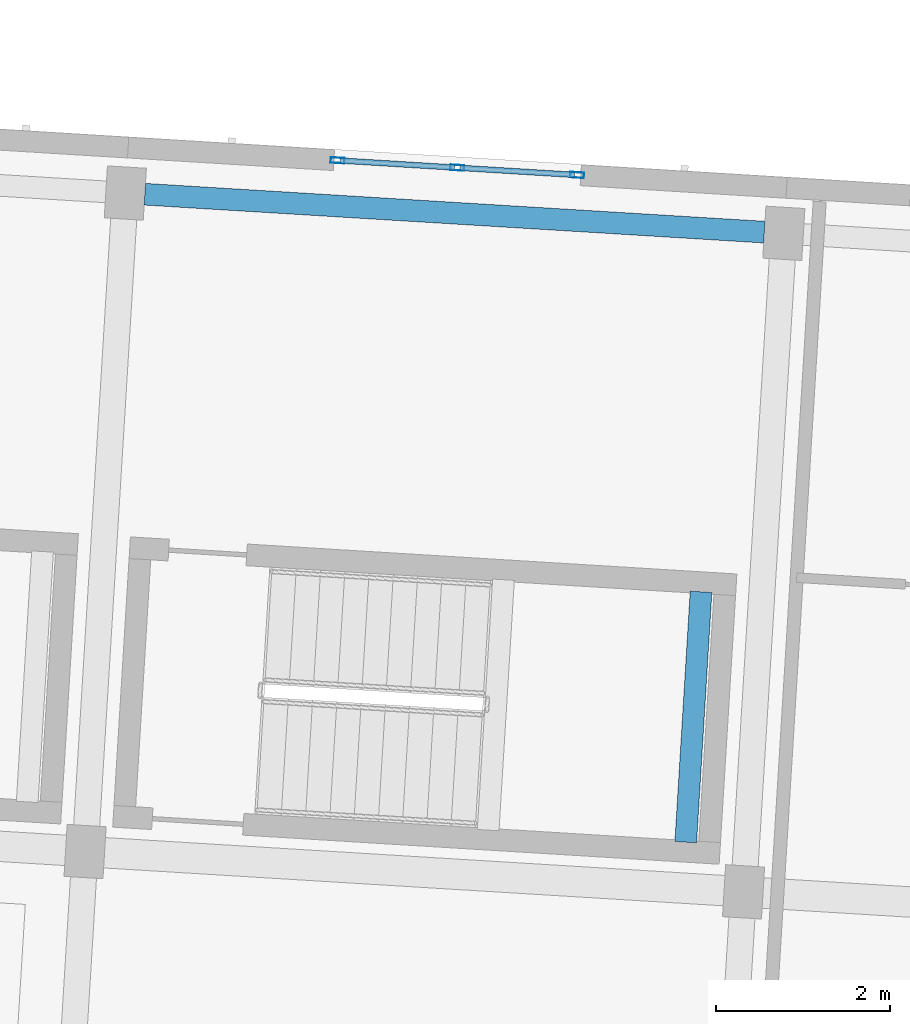
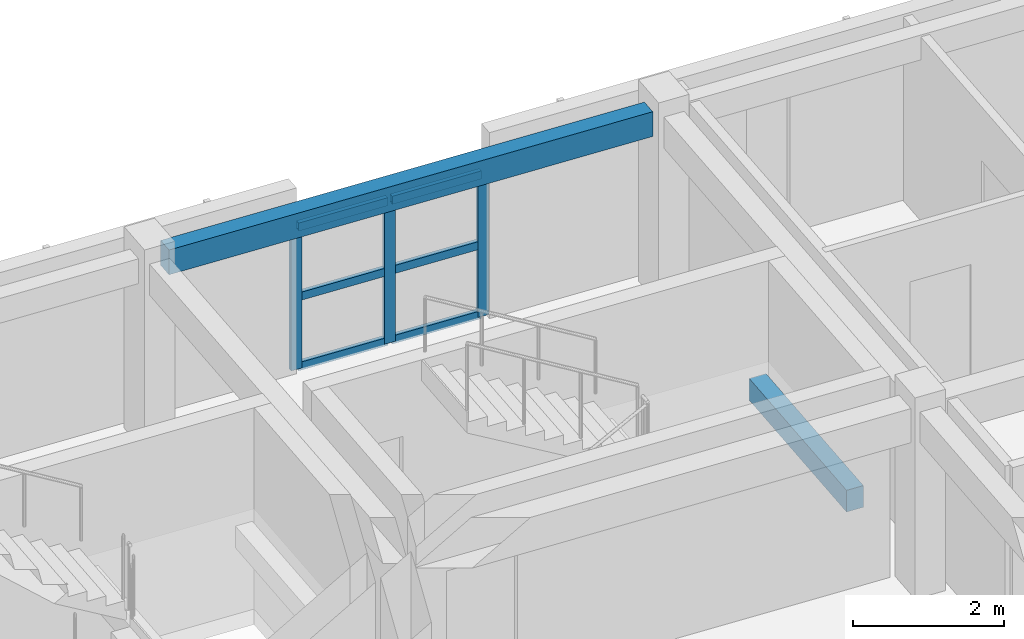
# One storey, part 8 of 64: 9 members, 2 beams, 1 element without a shape of its own.
"""IFC4 building model written with IfcOpenShell, lengths in metres."""

from ifc_helpers import new_model, si_unit, direction, frame, origin, origin_2d, place, context, subcontext, project, spatial, rectangle, hollow_rectangle, extrude, material, material_profile, profile_set, type_object, element, aggregate, save


model = new_model("IFC4")

# Units and contexts
model_context = context("Model", 3, precision=1e-05, world=origin(), true_north=direction((0.0, 1.0)))
body_context = subcontext(model_context, "Body", "Model", "MODEL_VIEW")
ifc_project = project(units=[si_unit("LENGTHUNIT", "METRE"), si_unit("AREAUNIT", "SQUARE_METRE"), si_unit("VOLUMEUNIT", "CUBIC_METRE"), si_unit("PLANEANGLEUNIT", "RADIAN"), si_unit("MASSUNIT", "GRAM", prefix="KILO")], contexts=[model_context])

# Site, building, storey
site_placement = place(None, origin())
site = spatial("IfcSite", under=ifc_project, at=site_placement, CompositionType="ELEMENT")
building_placement = place(site_placement, origin())
building = spatial("IfcBuilding", under=site, at=building_placement, Name="Kestramere Prow Commons", CompositionType="ELEMENT")
storey_placement = place(building_placement, frame((0.0, 0.0, 24.64990234375)))
storey = spatial("IfcBuildingStorey", under=building, at=storey_placement, Name="L07", CompositionType="ELEMENT", Elevation=24.64990234375)

# Beam
ifc_material_1 = material(Name="Concrete C40/50", Category="concrete")
ifc_material_profile_1 = material_profile(ifc_material_1, rectangle(XDim=0.25, YDim=0.35009765625, at=origin_2d()), Name="PC-BM 250x350")
ifc_profile_set_1 = profile_set([ifc_material_profile_1], Name="Concrete C40/50")
beam_type_1 = type_object("IfcBeamType", Name="BM-ST-TRIM", PredefinedType="BEAM", material=ifc_profile_set_1)
beam_1_placement = place(storey_placement, frame((82.32373046875, 57.657470703125, 1.25), z_axis=(0.06107914562, 0.998132926003, 0.0), x_axis=(-0.998132926003, 0.06107914562, 0.0)))
element("IfcBeam", 1, at=beam_1_placement, inside=storey, type_object=beam_type_1, Name="ST-C2 L07 Landing Trimmer Beam 1B", PredefinedType="BEAM", context=body_context, shape_type="SweptSolid", body=[
    extrude(rectangle(XDim=0.25, YDim=0.35009765625, at=origin_2d()), origin(), (0.0, 0.0, 1.0), 2.889892578125),
])

# Curtain wall, members
ifc_material_2 = material(Name="Anodised Aluminium and Low-E Glass", Category="aluminium")
curtain_wall_type = type_object("IfcCurtainWallType", Name="CW-03 Glazed Curtain Wall 2830x2320", PredefinedType="USERDEFINED", material=ifc_material_2)
curtain_wall_placement = place(storey_placement, origin())
curtain_wall = element("IfcCurtainWall", 2, at=curtain_wall_placement, inside=storey, type_object=curtain_wall_type, Name="Block C L07 Stairwell Vertical Glazing 3", ObjectType="GLAZED CURTAIN WALL", PredefinedType="USERDEFINED")
ifc_material_3 = material(Name="Anodised Aluminium 6063-T6", Category="aluminium")
ifc_material_profile_2 = material_profile(ifc_material_3, hollow_rectangle(XDim=0.06494140625, YDim=0.159912109375, WallThickness=0.00390625, at=origin_2d()), Name="ALU-MUL 65x160")
ifc_profile_set_2 = profile_set([ifc_material_profile_2], Name="Anodised Aluminium 6063-T6")
member_type_1 = type_object("IfcMemberType", Name="CW-MUL-65x160", PredefinedType="MULLION", material=ifc_profile_set_2)
member_1_placement = place(storey_placement, frame((78.313232421875, 65.511962890625, 0.0), z_axis=(0.0, 0.0, 1.0), x_axis=(0.061048399176, 0.998134807007, 0.0)))
member_1 = element("IfcMember", 3, at=member_1_placement, type_object=member_type_1, Name="CW-03 mullion 1", PredefinedType="MULLION", context=body_context, shape_type="SweptSolid", body=[
    extrude(hollow_rectangle(XDim=0.06494140625, YDim=0.159912109375, WallThickness=0.00390625, at=origin_2d()), origin(), (0.0, 0.0, 1.0), 2.320068359375),
])
member_2_placement = place(storey_placement, frame((79.693115234375, 65.427490234375, 0.0), z_axis=(0.0, 0.0, 1.0), x_axis=(0.061048399176, 0.998134807007, 0.0)))
member_2 = element("IfcMember", 4, at=member_2_placement, type_object=member_type_1, Name="CW-03 mullion 2", PredefinedType="MULLION", context=body_context, shape_type="SweptSolid", body=[
    extrude(hollow_rectangle(XDim=0.06494140625, YDim=0.159912109375, WallThickness=0.00390625, at=origin_2d()), origin(), (0.0, 0.0, 1.0), 2.320068359375),
])
member_3_placement = place(storey_placement, frame((81.072998046875, 65.34326171875, 0.0), z_axis=(0.0, 0.0, 1.0), x_axis=(0.061048399176, 0.998134807007, 0.0)))
member_3 = element("IfcMember", 5, at=member_3_placement, type_object=member_type_1, Name="CW-03 mullion 3", PredefinedType="MULLION", context=body_context, shape_type="SweptSolid", body=[
    extrude(hollow_rectangle(XDim=0.06494140625, YDim=0.159912109375, WallThickness=0.00390625, at=origin_2d()), origin(), (0.0, 0.0, 1.0), 2.320068359375),
])
ifc_material_profile_3 = material_profile(ifc_material_3, hollow_rectangle(XDim=0.06494140625, YDim=0.1298828125, WallThickness=0.00390625, at=origin_2d()), Name="ALU-TRN 65x130")
ifc_profile_set_3 = profile_set([ifc_material_profile_3], Name="Anodised Aluminium 6063-T6")
member_type_2 = type_object("IfcMemberType", Name="CW-TRN-65x130", PredefinedType="USERDEFINED", material=ifc_profile_set_3)
member_4_placement = place(storey_placement, frame((78.345703125, 65.510009765625, 0.03271484375), z_axis=(0.99812826429, -0.061155277983, 0.0), x_axis=(0.061155277983, 0.99812826429, 0.0)))
member_4 = element("IfcMember", 6, at=member_4_placement, type_object=member_type_2, Name="CW-03 transom 1.1", ObjectType="TRANSOM", PredefinedType="USERDEFINED", context=body_context, shape_type="SweptSolid", body=[
    extrude(hollow_rectangle(XDim=0.06494140625, YDim=0.1298828125, WallThickness=0.00390625, at=origin_2d()), origin(), (0.0, 0.0, 1.0), 1.3173828125),
])
member_5_placement = place(storey_placement, frame((78.345703125, 65.510009765625, 1.16015625), z_axis=(0.99812826429, -0.061155277983, 0.0), x_axis=(0.061155277983, 0.99812826429, 0.0)))
member_5 = element("IfcMember", 7, at=member_5_placement, type_object=member_type_2, Name="CW-03 transom 1.2", ObjectType="TRANSOM", PredefinedType="USERDEFINED", context=body_context, shape_type="SweptSolid", body=[
    extrude(hollow_rectangle(XDim=0.06494140625, YDim=0.1298828125, WallThickness=0.00390625, at=origin_2d()), origin(), (0.0, 0.0, 1.0), 1.3173828125),
])
member_6_placement = place(storey_placement, frame((78.345703125, 65.510009765625, 2.28759765625), z_axis=(0.99812826429, -0.061155277983, 0.0), x_axis=(0.061155277983, 0.99812826429, 0.0)))
member_6 = element("IfcMember", 8, at=member_6_placement, type_object=member_type_2, Name="CW-03 transom 1.3", ObjectType="TRANSOM", PredefinedType="USERDEFINED", context=body_context, shape_type="SweptSolid", body=[
    extrude(hollow_rectangle(XDim=0.06494140625, YDim=0.1298828125, WallThickness=0.00390625, at=origin_2d()), origin(), (0.0, 0.0, 1.0), 1.3173828125),
])
member_7_placement = place(storey_placement, frame((79.7255859375, 65.425537109375, 0.03271484375), z_axis=(0.998139559366, -0.06097064891, 0.0), x_axis=(0.06097064891, 0.998139559366, 0.0)))
member_7 = element("IfcMember", 9, at=member_7_placement, type_object=member_type_2, Name="CW-03 transom 2.1", ObjectType="TRANSOM", PredefinedType="USERDEFINED", context=body_context, shape_type="SweptSolid", body=[
    extrude(hollow_rectangle(XDim=0.06494140625, YDim=0.1298828125, WallThickness=0.00390625, at=origin_2d()), origin(), (0.0, 0.0, 1.0), 1.3173828125),
])
member_8_placement = place(storey_placement, frame((79.7255859375, 65.425537109375, 1.16015625), z_axis=(0.998139559366, -0.06097064891, 0.0), x_axis=(0.06097064891, 0.998139559366, 0.0)))
member_8 = element("IfcMember", 10, at=member_8_placement, type_object=member_type_2, Name="CW-03 transom 2.2", ObjectType="TRANSOM", PredefinedType="USERDEFINED", context=body_context, shape_type="SweptSolid", body=[
    extrude(hollow_rectangle(XDim=0.06494140625, YDim=0.1298828125, WallThickness=0.00390625, at=origin_2d()), origin(), (0.0, 0.0, 1.0), 1.3173828125),
])
member_9_placement = place(storey_placement, frame((79.7255859375, 65.425537109375, 2.28759765625), z_axis=(0.998139559366, -0.06097064891, 0.0), x_axis=(0.06097064891, 0.998139559366, 0.0)))
member_9 = element("IfcMember", 11, at=member_9_placement, type_object=member_type_2, Name="CW-03 transom 2.3", ObjectType="TRANSOM", PredefinedType="USERDEFINED", context=body_context, shape_type="SweptSolid", body=[
    extrude(hollow_rectangle(XDim=0.06494140625, YDim=0.1298828125, WallThickness=0.00390625, at=origin_2d()), origin(), (0.0, 0.0, 1.0), 1.3173828125),
])
aggregate(curtain_wall, [member_1, member_2, member_3, member_4, member_5, member_6, member_7, member_8, member_9])

# Beam
ifc_material_4 = material(Name="Precast concrete C40/50", Category="concrete")
ifc_material_profile_4 = material_profile(ifc_material_4, rectangle(XDim=0.25, YDim=0.39990234375, at=origin_2d()), Name="PC-SP 250x400")
ifc_profile_set_4 = profile_set([ifc_material_profile_4], Name="Precast concrete C40/50")
beam_type_2 = type_object("IfcBeamType", Name="SP-EXT-01 PC-SP 250x400", PredefinedType="SPANDREL", material=ifc_profile_set_4)
beam_2_placement = place(storey_placement, frame((76.0927734375, 65.121826171875, 2.800048828125), z_axis=(0.998134602239, -0.061051747017, 0.0), x_axis=(0.061051747017, 0.998134602239, 0.0)))
element("IfcBeam", 12, at=beam_2_placement, inside=storey, type_object=beam_type_2, Name="Block C L07 Longitudinal Beam 4-3", PredefinedType="SPANDREL", context=body_context, shape_type="SweptSolid", body=[
    extrude(rectangle(XDim=0.25, YDim=0.39990234375, at=origin_2d()), origin(), (0.0, 0.0, 1.0), 7.150146484375),
])

save(model, "model.ifc")
